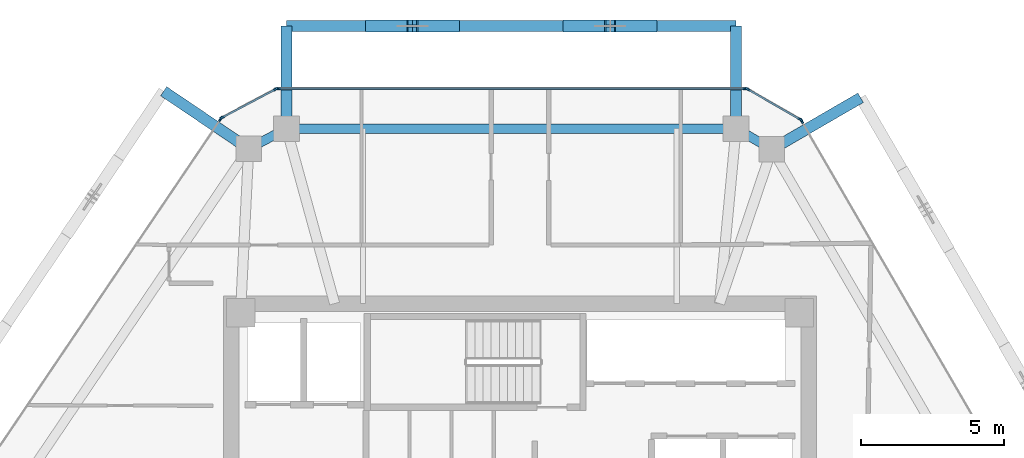
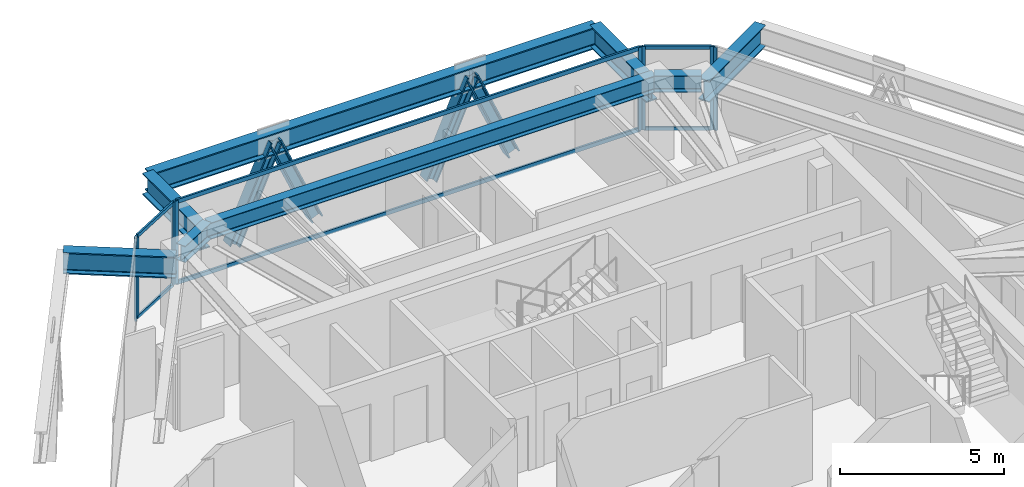
# One storey, part 6 of 14: 18 members, 8 beams, 5 elements without a shape of their own.
"""IFC4 building model written with IfcOpenShell, lengths in metres."""

from ifc_helpers import new_model, si_unit, direction, frame, origin, origin_2d, place, context, subcontext, project, spatial, rectangle, i_section, extrude, source, transform, mapped, material, layer, layer_set, material_profile, profile_set, type_object, type_shapes, element, aggregate, save


model = new_model("IFC4")

# Units and contexts
model_context = context("Model", 3, precision=1e-05, world=origin(), true_north=direction((0.0, 1.0)))
body_context = subcontext(model_context, "Body", "Model", "MODEL_VIEW")
ifc_project = project(units=[si_unit("LENGTHUNIT", "METRE"), si_unit("AREAUNIT", "SQUARE_METRE"), si_unit("VOLUMEUNIT", "CUBIC_METRE"), si_unit("PLANEANGLEUNIT", "RADIAN"), si_unit("MASSUNIT", "GRAM", prefix="KILO")], contexts=[model_context])

# Site, building, storey
site_placement = place(None, origin())
site = spatial("IfcSite", under=ifc_project, at=site_placement, CompositionType="ELEMENT")
building_placement = place(site_placement, origin())
building = spatial("IfcBuilding", under=site, at=building_placement, Name="Durnholm Broadcast Tower", CompositionType="ELEMENT")
storey_placement = place(building_placement, frame((0.0, 0.0, 261.5)))
storey = spatial("IfcBuildingStorey", under=building, at=storey_placement, Name="L73", CompositionType="ELEMENT", Elevation=261.5)

# Beams
ifc_material_1 = material(Name="Steel ASTM A992 Grade 50", Category="steel")
ifc_material_profile_1 = material_profile(ifc_material_1, i_section(OverallWidth=0.385009765625, OverallDepth=0.802978515625, WebThickness=0.023681640625, FlangeThickness=0.0419921875, FilletRadius=0.032958984375, at=origin_2d()), Name="W30X261")
ifc_profile_set_1 = profile_set([ifc_material_profile_1], Name="Steel ASTM A992 Grade 50")
beam_type_1 = type_object("IfcBeamType", Name="BM-EXO-TIE", PredefinedType="USERDEFINED", material=ifc_profile_set_1)
shared_shape_1 = source(origin(), body_context, "Body", "SweptSolid", [
    extrude(i_section(OverallWidth=0.385009765625, OverallDepth=0.802978515625, WebThickness=0.023681640625, FlangeThickness=0.0419921875, FilletRadius=0.032958984375, at=origin_2d()), origin(), (0.0, 0.0, 1.0), 3.4560546875),
])
for number, where, z_axis, x_axis, name in (
    (1, (7.57958984375, 14.406005859375, 2.348388671875), (0.0, 1.0, 0.0), (-1.0, 0.0, 0.0), "L73 exoskeleton stand-off tie bracket F4.1"),
    (2, (-8.187744140625, 14.406005859375, 2.348388671875), (0.0, 1.0, 0.0), (-1.0, 0.0, 0.0), "L73 exoskeleton stand-off tie bracket F4.2"),
):
    element("IfcBeam", number, at=place(storey_placement, frame(where, z_axis=z_axis, x_axis=x_axis)), inside=storey, type_object=beam_type_1, Name=name, ObjectType="GIRDER", PredefinedType="USERDEFINED", context=body_context, shape_type="MappedRepresentation", body=[
        mapped(shared_shape_1, transform((0.0, 0.0, 0.0), x_axis=(1.0, 0.0, 0.0), y_axis=(0.0, 1.0, 0.0), z_axis=(0.0, 0.0, 1.0), scale=1.0)),
    ])
shared_shape_2 = source(origin(), body_context, "Body", "SweptSolid", [
    extrude(i_section(OverallWidth=0.385009765625, OverallDepth=0.802978515625, WebThickness=0.023681640625, FlangeThickness=0.0419921875, FilletRadius=0.032958984375, at=origin_2d()), origin(), (0.0, 0.0, 1.0), 3.455810546875),
])
for number, where, z_axis, x_axis, name in (
    (3, (8.9619140625, 13.610107421875, 2.348388671875), (0.864906682814, 0.501932694715, 0.0), (-0.501932694715, 0.864906682814, 0.0), "L73 exoskeleton stand-off tie bracket F3.2"),
    (4, (-9.63427734375, 13.637939453125, 2.348388671875), (-0.828446342252, 0.560068440469, 0.0), (-0.560068440469, -0.828446342252, 0.0), "L73 exoskeleton stand-off tie bracket F5.1"),
):
    element("IfcBeam", number, at=place(storey_placement, frame(where, z_axis=z_axis, x_axis=x_axis)), inside=storey, type_object=beam_type_1, Name=name, ObjectType="GIRDER", PredefinedType="USERDEFINED", context=body_context, shape_type="MappedRepresentation", body=[
        mapped(shared_shape_2, transform((0.0, 0.0, 0.0), x_axis=(1.0, 0.0, 0.0), y_axis=(0.0, 1.0, 0.0), z_axis=(0.0, 0.0, 1.0), scale=1.0)),
    ])
ifc_material_profile_2 = material_profile(ifc_material_1, i_section(OverallWidth=0.3251953125, OverallDepth=0.6162109375, WebThickness=0.013916015625, FlangeThickness=0.021484375, FilletRadius=0.02783203125, at=origin_2d()), Name="W24X117")
ifc_profile_set_2 = profile_set([ifc_material_profile_2], Name="Steel ASTM A992 Grade 50")
beam_type_2 = type_object("IfcBeamType", Name="STL-SP-W24X117", PredefinedType="SPANDREL", material=ifc_profile_set_2)
shared_shape_3 = source(origin(), body_context, "Body", "SweptSolid", [
    extrude(i_section(OverallWidth=0.3251953125, OverallDepth=0.6162109375, WebThickness=0.013916015625, FlangeThickness=0.021484375, FilletRadius=0.02783203125, at=origin_2d()), origin(), (0.0, 0.0, 1.0), 1.502685546875),
])
beam_1_placement = place(storey_placement, frame((-9.514892578125, 13.557373046875, 2.77685546875), z_axis=(0.883241909673, 0.468917614296, 0.0), x_axis=(-0.468917614296, 0.883241909673, 0.0)))
element("IfcBeam", 5, at=beam_1_placement, inside=storey, type_object=beam_type_2, Name="L73 perimeter spandrel girder 04", PredefinedType="SPANDREL", context=body_context, shape_type="MappedRepresentation", body=[
    mapped(shared_shape_3, transform((0.0, 0.0, 0.0), x_axis=(1.0, 0.0, 0.0), y_axis=(0.0, 1.0, 0.0), z_axis=(0.0, 0.0, 1.0), scale=1.0)),
])
shared_shape_4 = source(origin(), body_context, "Body", "SweptSolid", [
    extrude(i_section(OverallWidth=0.3251953125, OverallDepth=0.6162109375, WebThickness=0.013916015625, FlangeThickness=0.021484375, FilletRadius=0.02783203125, at=origin_2d()), origin(), (0.0, 0.0, 1.0), 15.767333984375),
])
beam_2_placement = place(storey_placement, frame((-8.187744140625, 14.261962890625, 2.77685546875), z_axis=(1.0, 0.0, 0.0), x_axis=(0.0, 1.0, 0.0)))
element("IfcBeam", 6, at=beam_2_placement, inside=storey, type_object=beam_type_2, Name="L73 perimeter spandrel girder 05", PredefinedType="SPANDREL", context=body_context, shape_type="MappedRepresentation", body=[
    mapped(shared_shape_4, transform((0.0, 0.0, 0.0), x_axis=(1.0, 0.0, 0.0), y_axis=(0.0, 1.0, 0.0), z_axis=(0.0, 0.0, 1.0), scale=1.0)),
])
shared_shape_5 = source(origin(), body_context, "Body", "SweptSolid", [
    extrude(i_section(OverallWidth=0.3251953125, OverallDepth=0.6162109375, WebThickness=0.013916015625, FlangeThickness=0.021484375, FilletRadius=0.02783203125, at=origin_2d()), origin(), (0.0, 0.0, 1.0), 1.451416015625),
])
type_shapes(beam_type_2, [shared_shape_3, shared_shape_4, shared_shape_5])
beam_3_placement = place(storey_placement, frame((7.57958984375, 14.261962890625, 2.77685546875), z_axis=(0.866571760088, -0.499052486836, 0.0), x_axis=(0.499052486836, 0.866571760088, 0.0)))
element("IfcBeam", 7, at=beam_3_placement, inside=storey, type_object=beam_type_2, Name="L73 perimeter spandrel girder 06", PredefinedType="SPANDREL", context=body_context, shape_type="MappedRepresentation", body=[
    mapped(shared_shape_5, transform((0.0, 0.0, 0.0), x_axis=(1.0, 0.0, 0.0), y_axis=(0.0, 1.0, 0.0), z_axis=(0.0, 0.0, 1.0), scale=1.0)),
])
shared_shape_6 = source(origin(), body_context, "Body", "SweptSolid", [
    extrude(i_section(OverallWidth=0.385009765625, OverallDepth=0.802978515625, WebThickness=0.023681640625, FlangeThickness=0.0419921875, FilletRadius=0.032958984375, at=origin_2d()), origin(), (0.0, 0.0, 1.0), 15.767333984375),
])
type_shapes(beam_type_1, [shared_shape_1, shared_shape_2, shared_shape_6])
beam_4_placement = place(storey_placement, frame((7.57958984375, 17.862060546875, 2.348388671875), z_axis=(-1.0, 0.0, 0.0), x_axis=(0.0, -1.0, 0.0)))
element("IfcBeam", 8, at=beam_4_placement, inside=storey, type_object=beam_type_1, Name="L73 exoskeleton collector spandrel F4", PredefinedType="SPANDREL", context=body_context, shape_type="MappedRepresentation", body=[
    mapped(shared_shape_6, transform((0.0, 0.0, 0.0), x_axis=(1.0, 0.0, 0.0), y_axis=(0.0, 1.0, 0.0), z_axis=(0.0, 0.0, 1.0), scale=1.0)),
])

# Members
ifc_material_2 = material(Name="Steel ASTM A913 Grade 65", Category="steel")
ifc_material_profile_3 = material_profile(ifc_material_2, i_section(OverallWidth=0.40625, OverallDepth=0.416015625, WebThickness=0.02978515625, FlangeThickness=0.048095703125, FilletRadius=0.030517578125, at=origin_2d()), Name="W14X257")
ifc_profile_set_3 = profile_set([ifc_material_profile_3], Name="Steel ASTM A913 Grade 65")
member_type_1 = type_object("IfcMemberType", Name="STL-DG-W14X257", PredefinedType="BRACE", material=ifc_profile_set_3)
shared_shape_7 = source(origin(), body_context, "Body", "SweptSolid", [
    extrude(i_section(OverallWidth=0.40625, OverallDepth=0.416015625, WebThickness=0.02978515625, FlangeThickness=0.048095703125, FilletRadius=0.030517578125, at=origin_2d()), origin(), (0.0, 0.0, 1.0), 3.644287109375),
])
type_shapes(member_type_1, [shared_shape_7])
for number, where, z_axis, x_axis, name in (
    (9, (4.623046875, 17.862060546875, -0.991455078125), (-0.400143971826, 0.0, 0.916452291072), (0.0, -1.0, 0.0), "L73 stand-off diagrid brace F4.D1.1"),
    (10, (1.70654296875, 17.862060546875, -0.991455078125), (0.400143971826, 0.0, 0.916452291072), (0.0, 1.0, 0.0), "L73 stand-off diagrid brace F4.D1.2"),
    (11, (-2.314697265625, 17.862060546875, -0.991455078125), (-0.400087703894, 0.0, 0.916476856878), (0.0, -1.0, 0.0), "L73 stand-off diagrid brace F4.D2.1"),
    (12, (-5.23095703125, 17.862060546875, -0.991455078125), (0.400143971826, 0.0, 0.916452291072), (0.0, 1.0, 0.0), "L73 stand-off diagrid brace F4.D2.2"),
):
    element("IfcMember", number, at=place(storey_placement, frame(where, z_axis=z_axis, x_axis=x_axis)), inside=storey, type_object=member_type_1, Name=name, PredefinedType="BRACE", context=body_context, shape_type="MappedRepresentation", body=[
        mapped(shared_shape_7, transform((0.0, 0.0, 0.0), x_axis=(1.0, 0.0, 0.0), y_axis=(0.0, 1.0, 0.0), z_axis=(0.0, 0.0, 1.0), scale=1.0)),
    ])

# Curtain wall, members
ifc_material_3 = material(Name="Aluminium and Solar Control IGU", Category="aluminium")
ifc_layer_1 = layer(ifc_material_3, 0.1650390625)
ifc_layer_set_1 = layer_set([ifc_layer_1], Name="Aluminium and Solar Control IGU")
curtain_wall_type_1 = type_object("IfcCurtainWallType", Name="CW-SYS-5", PredefinedType="NOTDEFINED", material=ifc_layer_set_1)
curtain_wall_1_placement = place(storey_placement, origin())
curtain_wall_1 = element("IfcCurtainWall", 13, at=curtain_wall_1_placement, inside=storey, type_object=curtain_wall_type_1, Name="L73 curtain wall CW-CORNER CW-L73-CRN-03", PredefinedType="NOTDEFINED")
ifc_material_4 = material(Name="Aluminium 6063-T6", Category="aluminium")
ifc_material_profile_4 = material_profile(ifc_material_4, rectangle(XDim=0.06494140625, YDim=0.1298828125, at=origin_2d()), Name="CWT65X130")
ifc_profile_set_4 = profile_set([ifc_material_profile_4], Name="Aluminium 6063-T6")
member_type_2 = type_object("IfcMemberType", Name="CW-SYS-5-TRN", PredefinedType="USERDEFINED", material=ifc_profile_set_4)
shared_shape_8 = source(origin(), body_context, "Body", "SweptSolid", [
    extrude(rectangle(XDim=0.06494140625, YDim=0.1298828125, at=origin_2d()), origin(), (0.0, 0.0, 1.0), 2.070068359375),
])
type_shapes(member_type_2, [shared_shape_8])
member_1_placement = place(storey_placement, frame((-10.421875, 14.66064453125, 0.032470703125), z_axis=(0.883164581026, 0.469063239682, 0.0), x_axis=(-0.469063239682, 0.883164581026, 0.0)))
member_1 = element("IfcMember", 14, at=member_1_placement, type_object=member_type_2, Name="CW-CORNER transom 1.1", ObjectType="TRANSOM", PredefinedType="USERDEFINED", context=body_context, shape_type="MappedRepresentation", body=[
    mapped(shared_shape_8, transform((0.0, 0.0, 0.0), x_axis=(1.0, 0.0, 0.0), y_axis=(0.0, 1.0, 0.0), z_axis=(0.0, 0.0, 1.0), scale=1.0)),
])
member_2_placement = place(storey_placement, frame((-10.421875, 14.66064453125, 3.0673828125), z_axis=(0.883164581026, 0.469063239682, 0.0), x_axis=(-0.469063239682, 0.883164581026, 0.0)))
member_2 = element("IfcMember", 15, at=member_2_placement, type_object=member_type_2, Name="CW-CORNER transom 1.2", ObjectType="TRANSOM", PredefinedType="USERDEFINED", context=body_context, shape_type="MappedRepresentation", body=[
    mapped(shared_shape_8, transform((0.0, 0.0, 0.0), x_axis=(1.0, 0.0, 0.0), y_axis=(0.0, 1.0, 0.0), z_axis=(0.0, 0.0, 1.0), scale=1.0)),
])

curtain_wall_2_placement = place(storey_placement, origin())
curtain_wall_2 = element("IfcCurtainWall", 16, at=curtain_wall_2_placement, inside=storey, type_object=curtain_wall_type_1, Name="L73 curtain wall CW-CORNER CW-L73-CRN-05", PredefinedType="NOTDEFINED")
member_3_placement = place(storey_placement, frame((8.01025390625, 15.629638671875, 0.032470703125), z_axis=(0.866525076636, -0.499133540809, 0.0), x_axis=(0.499133540809, 0.866525076636, 0.0)))
member_3 = element("IfcMember", 17, at=member_3_placement, type_object=member_type_2, Name="CW-CORNER transom 1.1", ObjectType="TRANSOM", PredefinedType="USERDEFINED", context=body_context, shape_type="MappedRepresentation", body=[
    mapped(shared_shape_8, transform((0.0, 0.0, 0.0), x_axis=(1.0, 0.0, 0.0), y_axis=(0.0, 1.0, 0.0), z_axis=(0.0, 0.0, 1.0), scale=1.0)),
])
member_4_placement = place(storey_placement, frame((8.01025390625, 15.629638671875, 3.0673828125), z_axis=(0.866525076636, -0.499133540809, 0.0), x_axis=(0.499133540809, 0.866525076636, 0.0)))
member_4 = element("IfcMember", 18, at=member_4_placement, type_object=member_type_2, Name="CW-CORNER transom 1.2", ObjectType="TRANSOM", PredefinedType="USERDEFINED", context=body_context, shape_type="MappedRepresentation", body=[
    mapped(shared_shape_8, transform((0.0, 0.0, 0.0), x_axis=(1.0, 0.0, 0.0), y_axis=(0.0, 1.0, 0.0), z_axis=(0.0, 0.0, 1.0), scale=1.0)),
])

ifc_layer_2 = layer(ifc_material_3, 0.18994140625)
ifc_layer_set_2 = layer_set([ifc_layer_2], Name="Aluminium and Solar Control IGU")
curtain_wall_type_2 = type_object("IfcCurtainWallType", Name="CW-SYS-4", PredefinedType="NOTDEFINED", material=ifc_layer_set_2)
curtain_wall_3_placement = place(storey_placement, origin())
curtain_wall_3 = element("IfcCurtainWall", 19, at=curtain_wall_3_placement, inside=storey, type_object=curtain_wall_type_2, Name="L73 curtain wall CW-Z34-VIS CW-L73-F04", PredefinedType="NOTDEFINED")
ifc_material_profile_5 = material_profile(ifc_material_4, rectangle(XDim=0.070068359375, YDim=0.14990234375, at=origin_2d()), Name="CWT70X150")
ifc_profile_set_5 = profile_set([ifc_material_profile_5], Name="Aluminium 6063-T6")
member_type_3 = type_object("IfcMemberType", Name="CW-SYS-4-TRN", PredefinedType="USERDEFINED", material=ifc_profile_set_5)
shared_shape_9 = source(origin(), body_context, "Body", "SweptSolid", [
    extrude(rectangle(XDim=0.070068359375, YDim=0.14990234375, at=origin_2d()), origin(), (0.0, 0.0, 1.0), 16.350341796875),
])
type_shapes(member_type_3, [shared_shape_9])
member_5_placement = place(storey_placement, frame((-8.46630859375, 15.662109375, 0.034912109375), z_axis=(1.0, 0.0, 0.0), x_axis=(0.0, 1.0, 0.0)))
member_5 = element("IfcMember", 20, at=member_5_placement, type_object=member_type_3, Name="CW-Z34-VIS transom 1.1", ObjectType="TRANSOM", PredefinedType="USERDEFINED", context=body_context, shape_type="MappedRepresentation", body=[
    mapped(shared_shape_9, transform((0.0, 0.0, 0.0), x_axis=(1.0, 0.0, 0.0), y_axis=(0.0, 1.0, 0.0), z_axis=(0.0, 0.0, 1.0), scale=1.0)),
])
member_6_placement = place(storey_placement, frame((-8.46630859375, 15.662109375, 3.06494140625), z_axis=(1.0, 0.0, 0.0), x_axis=(0.0, 1.0, 0.0)))
member_6 = element("IfcMember", 21, at=member_6_placement, type_object=member_type_3, Name="CW-Z34-VIS transom 1.2", ObjectType="TRANSOM", PredefinedType="USERDEFINED", context=body_context, shape_type="MappedRepresentation", body=[
    mapped(shared_shape_9, transform((0.0, 0.0, 0.0), x_axis=(1.0, 0.0, 0.0), y_axis=(0.0, 1.0, 0.0), z_axis=(0.0, 0.0, 1.0), scale=1.0)),
])

# Member
ifc_material_profile_6 = material_profile(ifc_material_4, rectangle(XDim=0.06494140625, YDim=0.1650390625, at=origin_2d()), Name="CWM65X165")
ifc_profile_set_6 = profile_set([ifc_material_profile_6], Name="Aluminium 6063-T6")
member_type_4 = type_object("IfcMemberType", Name="CW-SYS-5-MUL", PredefinedType="MULLION", material=ifc_profile_set_6)
shared_shape_10 = source(origin(), body_context, "Body", "SweptSolid", [
    extrude(rectangle(XDim=0.06494140625, YDim=0.1650390625, at=origin_2d()), origin(), (0.0, 0.0, 1.0), 3.10009765625),
])
type_shapes(member_type_4, [shared_shape_10])
member_7_placement = place(storey_placement, frame((-10.45068359375, 14.6455078125, 0.0), z_axis=(0.0, 0.0, 1.0), x_axis=(-0.469006771575, 0.883194569853, 0.0)))
member_7 = element("IfcMember", 22, at=member_7_placement, type_object=member_type_4, Name="CW-CORNER mullion 1", PredefinedType="MULLION", context=body_context, shape_type="MappedRepresentation", body=[
    mapped(shared_shape_10, transform((0.0, 0.0, 0.0), x_axis=(1.0, 0.0, 0.0), y_axis=(0.0, 1.0, 0.0), z_axis=(0.0, 0.0, 1.0), scale=1.0)),
])

member_8_placement = place(storey_placement, frame((-8.565185546875, 15.646728515625, 0.0), z_axis=(0.0, 0.0, 1.0), x_axis=(-0.469006771575, 0.883194569853, 0.0)))
member_8 = element("IfcMember", 23, at=member_8_placement, type_object=member_type_4, Name="CW-CORNER mullion 2", PredefinedType="MULLION", context=body_context, shape_type="MappedRepresentation", body=[
    mapped(shared_shape_10, transform((0.0, 0.0, 0.0), x_axis=(1.0, 0.0, 0.0), y_axis=(0.0, 1.0, 0.0), z_axis=(0.0, 0.0, 1.0), scale=1.0)),
])

aggregate(curtain_wall_1, [member_7, member_8, member_1, member_2])

member_9_placement = place(storey_placement, frame((7.982177734375, 15.645751953125, 0.0), z_axis=(0.0, 0.0, 1.0), x_axis=(0.499058582333, 0.866568249707, 0.0)))
member_9 = element("IfcMember", 24, at=member_9_placement, type_object=member_type_4, Name="CW-CORNER mullion 1", PredefinedType="MULLION", context=body_context, shape_type="MappedRepresentation", body=[
    mapped(shared_shape_10, transform((0.0, 0.0, 0.0), x_axis=(1.0, 0.0, 0.0), y_axis=(0.0, 1.0, 0.0), z_axis=(0.0, 0.0, 1.0), scale=1.0)),
])

member_10_placement = place(storey_placement, frame((9.832275390625, 14.580322265625, 0.0), z_axis=(0.0, 0.0, 1.0), x_axis=(0.499058582333, 0.866568249707, 0.0)))
member_10 = element("IfcMember", 25, at=member_10_placement, type_object=member_type_4, Name="CW-CORNER mullion 2", PredefinedType="MULLION", context=body_context, shape_type="MappedRepresentation", body=[
    mapped(shared_shape_10, transform((0.0, 0.0, 0.0), x_axis=(1.0, 0.0, 0.0), y_axis=(0.0, 1.0, 0.0), z_axis=(0.0, 0.0, 1.0), scale=1.0)),
])

aggregate(curtain_wall_2, [member_9, member_10, member_3, member_4])

# Curtain wall, member
curtain_wall_4_placement = place(storey_placement, origin())
curtain_wall_4 = element("IfcCurtainWall", 26, at=curtain_wall_4_placement, inside=storey, type_object=curtain_wall_type_2, Name="L73 curtain wall CW-Z34-VIS CW-L73-F02", PredefinedType="NOTDEFINED")
ifc_material_profile_7 = material_profile(ifc_material_4, rectangle(XDim=0.070068359375, YDim=0.18994140625, at=origin_2d()), Name="CWM70X190")
ifc_profile_set_7 = profile_set([ifc_material_profile_7], Name="Aluminium 6063-T6")
member_type_5 = type_object("IfcMemberType", Name="CW-SYS-4-MUL", PredefinedType="MULLION", material=ifc_profile_set_7)
shared_shape_11 = source(origin(), body_context, "Body", "SweptSolid", [
    extrude(rectangle(XDim=0.070068359375, YDim=0.18994140625, at=origin_2d()), origin(), (0.0, 0.0, 1.0), 3.10009765625),
])
type_shapes(member_type_5, [shared_shape_11])
member_11_placement = place(storey_placement, frame((-10.4990234375, 14.601318359375, 0.0), z_axis=(0.0, 0.0, 1.0), x_axis=(-0.828443431662, 0.560072745753, 0.0)))
member_11 = element("IfcMember", 27, at=member_11_placement, type_object=member_type_5, Name="CW-Z34-VIS mullion 2", PredefinedType="MULLION", context=body_context, shape_type="MappedRepresentation", body=[
    mapped(shared_shape_11, transform((0.0, 0.0, 0.0), x_axis=(1.0, 0.0, 0.0), y_axis=(0.0, 1.0, 0.0), z_axis=(0.0, 0.0, 1.0), scale=1.0)),
])
aggregate(curtain_wall_4, [member_11])

# Member
member_12_placement = place(storey_placement, frame((-8.50146484375, 15.662109375, 0.0), z_axis=(0.0, 0.0, 1.0), x_axis=(0.0, 1.0, 0.0)))
member_12 = element("IfcMember", 28, at=member_12_placement, type_object=member_type_5, Name="CW-Z34-VIS mullion 1", PredefinedType="MULLION", context=body_context, shape_type="MappedRepresentation", body=[
    mapped(shared_shape_11, transform((0.0, 0.0, 0.0), x_axis=(1.0, 0.0, 0.0), y_axis=(0.0, 1.0, 0.0), z_axis=(0.0, 0.0, 1.0), scale=1.0)),
])

member_13_placement = place(storey_placement, frame((7.9189453125, 15.662109375, 0.0), z_axis=(0.0, 0.0, 1.0), x_axis=(0.0, 1.0, 0.0)))
member_13 = element("IfcMember", 29, at=member_13_placement, type_object=member_type_5, Name="CW-Z34-VIS mullion 2", PredefinedType="MULLION", context=body_context, shape_type="MappedRepresentation", body=[
    mapped(shared_shape_11, transform((0.0, 0.0, 0.0), x_axis=(1.0, 0.0, 0.0), y_axis=(0.0, 1.0, 0.0), z_axis=(0.0, 0.0, 1.0), scale=1.0)),
])

aggregate(curtain_wall_3, [member_12, member_13, member_5, member_6])

# Curtain wall, member
curtain_wall_5_placement = place(storey_placement, origin())
curtain_wall_5 = element("IfcCurtainWall", 30, at=curtain_wall_5_placement, inside=storey, type_object=curtain_wall_type_2, Name="L73 curtain wall CW-Z34-VIS CW-L73-F06", PredefinedType="NOTDEFINED")
member_14_placement = place(storey_placement, frame((9.8779296875, 14.533935546875, 0.0), z_axis=(0.0, 0.0, 1.0), x_axis=(0.864899883824, 0.50194441023, 0.0)))
member_14 = element("IfcMember", 31, at=member_14_placement, type_object=member_type_5, Name="CW-Z34-VIS mullion 1", PredefinedType="MULLION", context=body_context, shape_type="MappedRepresentation", body=[
    mapped(shared_shape_11, transform((0.0, 0.0, 0.0), x_axis=(1.0, 0.0, 0.0), y_axis=(0.0, 1.0, 0.0), z_axis=(0.0, 0.0, 1.0), scale=1.0)),
])
aggregate(curtain_wall_5, [member_14])

save(model, "model.ifc")
